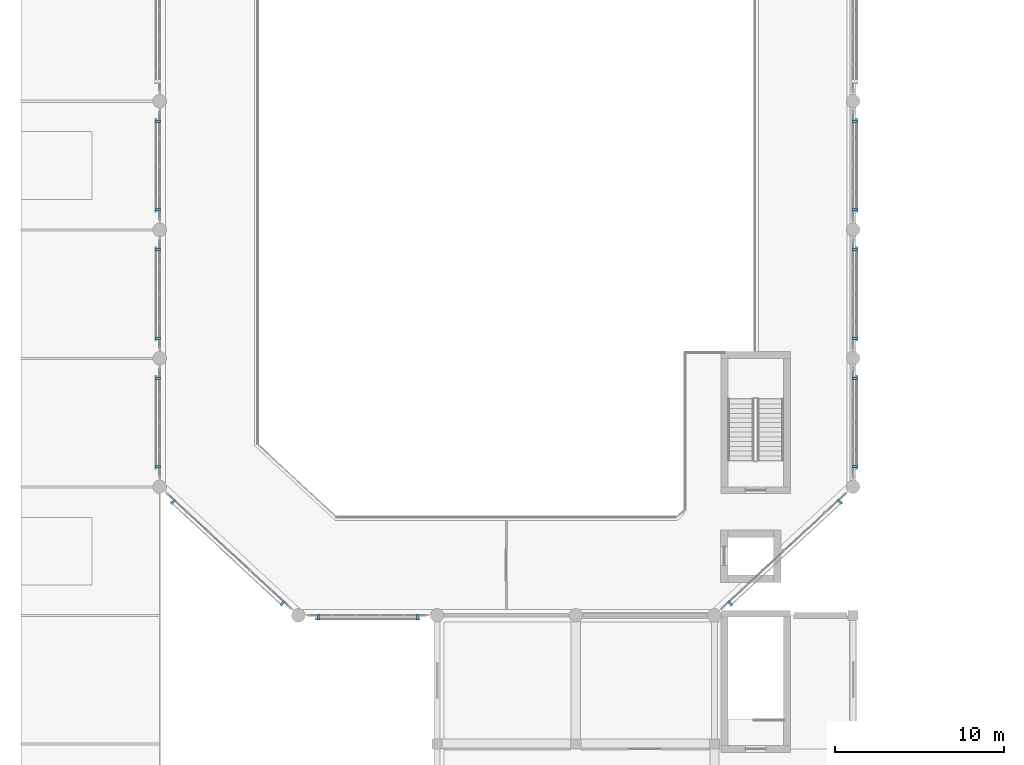
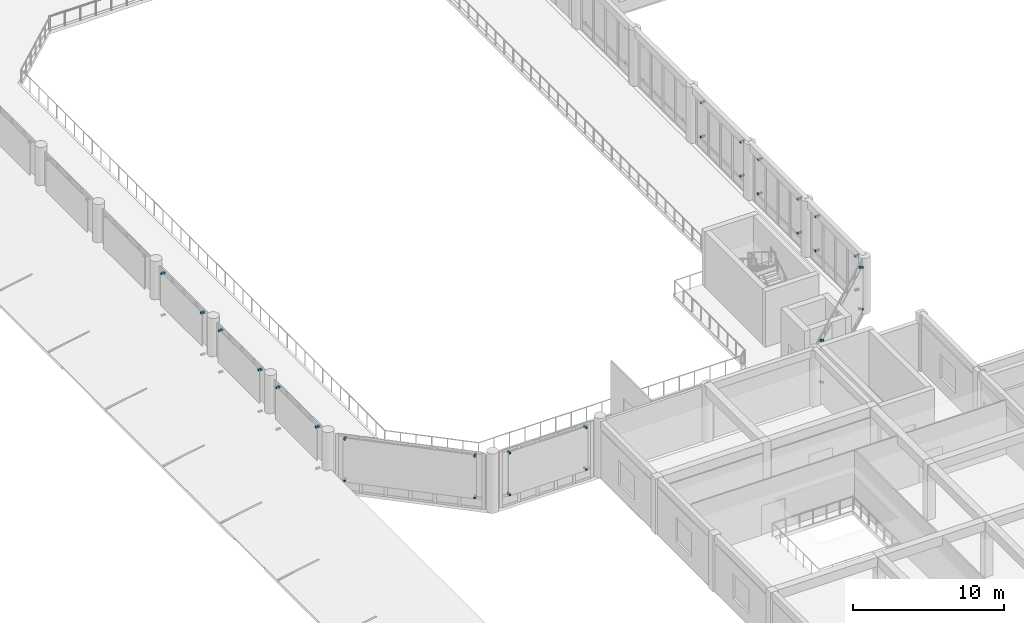
# One storey, part 45 of 57: 36 discrete accessories.
"""IFC4 building model written with IfcOpenShell, lengths in metres."""

from ifc_helpers import new_model, si_unit, direction, frame, origin, origin_2d, place, context, subcontext, project, spatial, rectangle, extrude, material, type_object, element, save


model = new_model("IFC4")

# Units and contexts
model_context = context("Model", 3, precision=1e-05, world=origin(), true_north=direction((0.0, 1.0)))
body_context = subcontext(model_context, "Body", "Model", "MODEL_VIEW")
ifc_project = project(units=[si_unit("LENGTHUNIT", "METRE"), si_unit("AREAUNIT", "SQUARE_METRE"), si_unit("VOLUMEUNIT", "CUBIC_METRE"), si_unit("PLANEANGLEUNIT", "RADIAN"), si_unit("MASSUNIT", "GRAM", prefix="KILO")], contexts=[model_context])

# Site, building, storey
site_placement = place(None, origin())
site = spatial("IfcSite", under=ifc_project, at=site_placement, CompositionType="ELEMENT")
building_placement = place(site_placement, origin())
building = spatial("IfcBuilding", under=site, at=building_placement, Name="Qandaris Square Conservatory and Botanical Centre", CompositionType="ELEMENT")
storey_placement = place(building_placement, frame((0.0, 0.0, 5.39990234375)))
storey = spatial("IfcBuildingStorey", under=building, at=storey_placement, Name="L01", CompositionType="ELEMENT", Elevation=5.39990234375)

# Discrete accessories
ifc_material = material(Name="Steel S355", Category="steel")
discrete_accessory_type = type_object("IfcDiscreteAccessoryType", Name="Mashrabiya Support Outrigger Bracket", PredefinedType="BRACKET", material=ifc_material)
for number, where, z_axis, x_axis, name in (
    (1, (25.580078125, 46.889892578125, 0.900390625), (0.0, 0.0, 1.0), (1.0, 0.0, 0.0), "Mashrabiya Bracket CW-CON-L01-0W-BRK-6-64"),
    (2, (25.580078125, 46.889892578125, 4.27001953125), (0.0, 0.0, 1.0), (1.0, 0.0, 0.0), "Mashrabiya Bracket CW-CON-L01-0W-BRK-6-97"),
    (3, (31.419921875, 46.889892578125, 0.900390625), (0.0, 0.0, 1.0), (1.0, 0.0, 0.0), "Mashrabiya Bracket CW-CON-L01-0W-BRK-64-64"),
    (4, (31.419921875, 46.889892578125, 4.27001953125), (0.0, 0.0, 1.0), (1.0, 0.0, 0.0), "Mashrabiya Bracket CW-CON-L01-0W-BRK-64-97"),
    (5, (49.940185546875, 47.721435546875, 0.900390625), (0.0, 0.0, 1.0), (0.733432966404, 0.679761784592, 0.0), "Mashrabiya Bracket CW-CON-L01-2-1-BRK-6-64"),
    (6, (49.940185546875, 47.721435546875, 4.27001953125), (0.0, 0.0, 1.0), (0.733432966404, 0.679761784592, 0.0), "Mashrabiya Bracket CW-CON-L01-2-1-BRK-6-97"),
    (7, (56.4091796875, 53.71728515625, 0.900390625), (0.0, 0.0, 1.0), (0.733432966404, 0.679761784592, 0.0), "Mashrabiya Bracket CW-CON-L01-2-1-BRK-94-64"),
    (8, (56.4091796875, 53.71728515625, 4.27001953125), (0.0, 0.0, 1.0), (0.733432966404, 0.679761784592, 0.0), "Mashrabiya Bracket CW-CON-L01-2-1-BRK-94-97"),
    (9, (57.31005859375, 55.780029296875, 0.900390625), (0.0, 0.0, 1.0), (0.0, 1.0, 0.0), "Mashrabiya Bracket CW-CON-L01-3-1-BRK-6-64"),
    (10, (57.31005859375, 55.780029296875, 3.669921875), (0.0, 0.0, 1.0), (0.0, 1.0, 0.0), "Mashrabiya Bracket CW-CON-L01-3-1-BRK-6-91"),
    (11, (57.31005859375, 61.02001953125, 0.900390625), (0.0, 0.0, 1.0), (0.0, 1.0, 0.0), "Mashrabiya Bracket CW-CON-L01-3-1-BRK-58-64"),
    (12, (57.31005859375, 61.02001953125, 3.669921875), (0.0, 0.0, 1.0), (0.0, 1.0, 0.0), "Mashrabiya Bracket CW-CON-L01-3-1-BRK-58-91"),
    (13, (57.31005859375, 63.3798828125, 0.900390625), (0.0, 0.0, 1.0), (0.0, 1.0, 0.0), "Mashrabiya Bracket CW-CON-L01-3-2-BRK-6-64"),
    (14, (57.31005859375, 63.3798828125, 3.669921875), (0.0, 0.0, 1.0), (0.0, 1.0, 0.0), "Mashrabiya Bracket CW-CON-L01-3-2-BRK-6-91"),
    (15, (57.31005859375, 68.6201171875, 0.900390625), (0.0, 0.0, 1.0), (0.0, 1.0, 0.0), "Mashrabiya Bracket CW-CON-L01-3-2-BRK-58-64"),
    (16, (57.31005859375, 68.6201171875, 3.669921875), (0.0, 0.0, 1.0), (0.0, 1.0, 0.0), "Mashrabiya Bracket CW-CON-L01-3-2-BRK-58-91"),
    (17, (57.31005859375, 70.97998046875, 0.900390625), (0.0, 0.0, 1.0), (0.0, 1.0, 0.0), "Mashrabiya Bracket CW-CON-L01-3-3-BRK-6-64"),
    (18, (57.31005859375, 70.97998046875, 3.669921875), (0.0, 0.0, 1.0), (0.0, 1.0, 0.0), "Mashrabiya Bracket CW-CON-L01-3-3-BRK-6-91"),
    (19, (57.31005859375, 76.219970703125, 0.900390625), (0.0, 0.0, 1.0), (0.0, 1.0, 0.0), "Mashrabiya Bracket CW-CON-L01-3-3-BRK-58-64"),
    (20, (57.31005859375, 76.219970703125, 3.669921875), (0.0, 0.0, 1.0), (0.0, 1.0, 0.0), "Mashrabiya Bracket CW-CON-L01-3-3-BRK-58-91"),
    (21, (16.090087890625, 76.219970703125, 0.900390625), (0.0, 0.0, 1.0), (0.0, -1.0, 0.0), "Mashrabiya Bracket CW-CON-L01-7-5-BRK-6-64"),
    (22, (16.090087890625, 76.219970703125, 4.27001953125), (0.0, 0.0, 1.0), (0.0, -1.0, 0.0), "Mashrabiya Bracket CW-CON-L01-7-5-BRK-6-97"),
    (23, (16.090087890625, 70.97998046875, 0.900390625), (0.0, 0.0, 1.0), (0.0, -1.0, 0.0), "Mashrabiya Bracket CW-CON-L01-7-5-BRK-58-64"),
    (24, (16.090087890625, 70.97998046875, 4.27001953125), (0.0, 0.0, 1.0), (0.0, -1.0, 0.0), "Mashrabiya Bracket CW-CON-L01-7-5-BRK-58-97"),
    (25, (16.090087890625, 68.6201171875, 0.900390625), (0.0, 0.0, 1.0), (0.0, -1.0, 0.0), "Mashrabiya Bracket CW-CON-L01-7-6-BRK-6-64"),
    (26, (16.090087890625, 68.6201171875, 4.27001953125), (0.0, 0.0, 1.0), (0.0, -1.0, 0.0), "Mashrabiya Bracket CW-CON-L01-7-6-BRK-6-97"),
    (27, (16.090087890625, 63.3798828125, 0.900390625), (0.0, 0.0, 1.0), (0.0, -1.0, 0.0), "Mashrabiya Bracket CW-CON-L01-7-6-BRK-58-64"),
    (28, (16.090087890625, 63.3798828125, 4.27001953125), (0.0, 0.0, 1.0), (0.0, -1.0, 0.0), "Mashrabiya Bracket CW-CON-L01-7-6-BRK-58-97"),
    (29, (16.090087890625, 61.02001953125, 0.900390625), (0.0, 0.0, 1.0), (0.0, -1.0, 0.0), "Mashrabiya Bracket CW-CON-L01-7-7-BRK-6-64"),
    (30, (16.090087890625, 61.02001953125, 4.27001953125), (0.0, 0.0, 1.0), (0.0, -1.0, 0.0), "Mashrabiya Bracket CW-CON-L01-7-7-BRK-6-97"),
    (31, (16.090087890625, 55.780029296875, 0.900390625), (0.0, 0.0, 1.0), (0.0, -1.0, 0.0), "Mashrabiya Bracket CW-CON-L01-7-7-BRK-58-64"),
    (32, (16.090087890625, 55.780029296875, 4.27001953125), (0.0, 0.0, 1.0), (0.0, -1.0, 0.0), "Mashrabiya Bracket CW-CON-L01-7-7-BRK-58-97"),
    (33, (16.99072265625, 53.71728515625, 0.900390625), (0.0, 0.0, 1.0), (0.733432966404, -0.679761784592, 0.0), "Mashrabiya Bracket CW-CON-L01-8-1-BRK-6-64"),
    (34, (16.99072265625, 53.71728515625, 4.27001953125), (0.0, 0.0, 1.0), (0.733432966404, -0.679761784592, 0.0), "Mashrabiya Bracket CW-CON-L01-8-1-BRK-6-97"),
    (35, (23.459716796875, 47.721435546875, 0.900390625), (0.0, 0.0, 1.0), (0.733432966404, -0.679761784592, 0.0), "Mashrabiya Bracket CW-CON-L01-8-1-BRK-94-64"),
    (36, (23.459716796875, 47.721435546875, 4.27001953125), (0.0, 0.0, 1.0), (0.733432966404, -0.679761784592, 0.0), "Mashrabiya Bracket CW-CON-L01-8-1-BRK-94-97"),
):
    element("IfcDiscreteAccessory", number, at=place(storey_placement, frame(where, z_axis=z_axis, x_axis=x_axis)), inside=storey, type_object=discrete_accessory_type, Name=name, PredefinedType="BRACKET", context=body_context, shape_type="SweptSolid", body=[
        extrude(rectangle(XDim=0.139892578125, YDim=0.340087890625, at=origin_2d()), origin(), (0.0, 0.0, 1.0), 0.139892578125),
    ])

save(model, "model.ifc")
